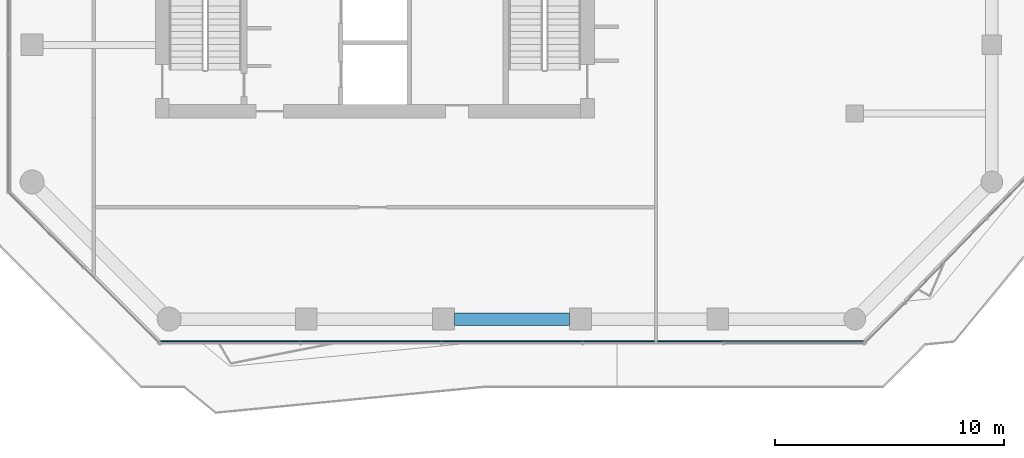
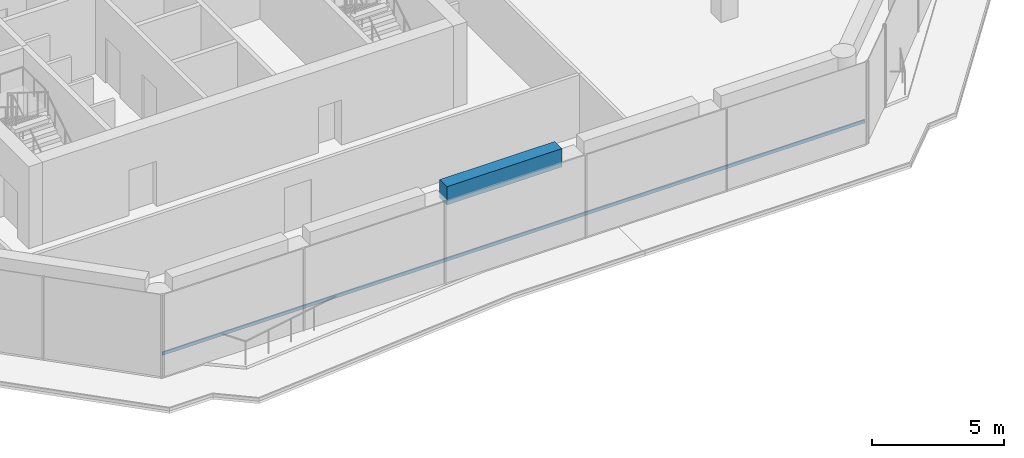
# One storey, part 3 of 22: 1 beam, 1 member, 1 element without a shape of its own.
"""IFC4 building model written with IfcOpenShell, lengths in metres."""

import ifcopenshell
import ifcopenshell.guid

model = None  # the IFC model being written
_history = None  # IfcOwnerHistory: only IFC2X3 demands one
_inside = {}  # id of a spatial element -> (the spatial element, [elements in it])
_under = {}  # id of a project, library or spatial element -> (it, [spatial elements below it])
_declared = {}  # id of a project -> (the project, [libraries it declares])
_typed = {}  # id of a type object -> (the type object, [elements of that type])
_made_of = {}  # id of a material, layer set ... -> (it, [elements and type objects made of it])


def new_model(schema):
    """Start an empty IFC model of exactly this schema.

    Asked for "IFC4X3", IfcOpenShell would pick the latest addendum, in which some entities
    have other attributes; the version numbers below select the first issue.
    IFC2X3 requires an IfcOwnerHistory on every rooted entity: one is made here for all.
    """
    global model, _history
    if schema == "IFC4X3":
        model = ifcopenshell.file(schema_version=(4, 3, 0, 0))
    else:
        model = ifcopenshell.file(schema=schema)
    _inside.clear()
    _under.clear()
    _declared.clear()
    _typed.clear()
    _made_of.clear()
    _history = None
    if model.schema == "IFC2X3":
        org = make("IfcOrganization", Name="unknown")
        user = make(
            "IfcPersonAndOrganization",
            ThePerson=make("IfcPerson", FamilyName="unknown"),
            TheOrganization=org,
        )
        app = make(
            "IfcApplication",
            ApplicationDeveloper=org,
            Version="unknown",
            ApplicationFullName="unknown",
            ApplicationIdentifier="unknown",
        )
        _history = make(
            "IfcOwnerHistory",
            OwningUser=user,
            OwningApplication=app,
            ChangeAction="ADDED",
            CreationDate=0,
        )
    return model


def make(cls, **values):
    """One entity of the class cls with the attributes given. An attribute that is None is left unset."""
    return model.create_entity(
        cls, **{name: value for name, value in values.items() if value is not None}
    )


def rooted(cls, **values):
    """An entity with a GlobalId (a new one), such as an element, a storey or a relation."""
    return make(cls, GlobalId=ifcopenshell.guid.new(), OwnerHistory=_history, **values)


def si_unit(unit_type, name, prefix=None):
    """IfcSIUnit, for example si_unit("LENGTHUNIT", "METRE", prefix="MILLI")."""
    return make("IfcSIUnit", UnitType=unit_type, Prefix=prefix, Name=name)


def assignment(units):
    """IfcUnitAssignment: the units of a project."""
    return None if units is None else make("IfcUnitAssignment", Units=units)


def point(xyz):
    """IfcCartesianPoint."""
    return None if xyz is None else make("IfcCartesianPoint", Coordinates=xyz)


def direction(xyz):
    """IfcDirection."""
    return None if xyz is None else make("IfcDirection", DirectionRatios=xyz)


def frame(location, z_axis=None, x_axis=None):
    """IfcAxis2Placement3D, a coordinate frame: its origin and axes. An axis left out is left unset."""
    return make(
        "IfcAxis2Placement3D",
        Location=point(location),
        Axis=direction(z_axis),
        RefDirection=direction(x_axis),
    )


def frame_2d(location, x_axis=None):
    """IfcAxis2Placement2D, a coordinate frame in the plane: its origin and x axis."""
    return make(
        "IfcAxis2Placement2D", Location=point(location), RefDirection=direction(x_axis)
    )


def origin():
    """The frame at (0, 0, 0) with its axes left unset."""
    return frame((0.0, 0.0, 0.0))


def origin_2d():
    """The frame at (0, 0) in the plane with its x axis left unset."""
    return frame_2d((0.0, 0.0))


def place(relative_to, where):
    """IfcLocalPlacement: puts the frame where relative to a parent placement (None: the world)."""
    return make(
        "IfcLocalPlacement", PlacementRelTo=relative_to, RelativePlacement=where
    )


def context(
    kind, dimensions, precision=None, world=None, true_north=None, identifier=None
):
    """IfcGeometricRepresentationContext, for example the 3D "Model" context."""
    return make(
        "IfcGeometricRepresentationContext",
        ContextIdentifier=identifier,
        ContextType=kind,
        CoordinateSpaceDimension=dimensions,
        Precision=precision,
        WorldCoordinateSystem=world,
        TrueNorth=true_north,
    )


def subcontext(parent, identifier, kind, view, scale=None):
    """IfcGeometricRepresentationSubContext, for example "Body" below "Model"."""
    return make(
        "IfcGeometricRepresentationSubContext",
        ContextIdentifier=identifier,
        ContextType=kind,
        ParentContext=parent,
        TargetScale=scale,
        TargetView=view,
    )


def project(units=None, contexts=None):
    """IfcProject with its units and contexts."""
    return rooted(
        "IfcProject",
        Name="project",
        RepresentationContexts=contexts,
        UnitsInContext=assignment(units),
    )


def spatial(cls, under=None, at=None, **own):
    """A site, building, storey or space (cls), placed at a placement, below another one or the project."""
    s = rooted(cls, ObjectPlacement=at, **own)
    if under is not None:
        _under.setdefault(under.id(), (under, []))[1].append(s)
    return s


def profile(cls, at=None, kind="AREA", **sizes):
    """A parametric profile (cls). Its sizes go by their IFC names, for example OverallWidth=200.0."""
    return make(cls, ProfileType=kind, Position=at, **sizes)


def rectangle(**sizes):
    """IfcRectangleProfileDef."""
    return profile("IfcRectangleProfileDef", **sizes)


def extrude(swept, where, along, depth):
    """IfcExtrudedAreaSolid: the profile swept, set in the frame where, extruded along a direction by depth."""
    return make(
        "IfcExtrudedAreaSolid",
        SweptArea=swept,
        Position=where,
        ExtrudedDirection=direction(along),
        Depth=depth,
    )


def shape(context_of_items, identifier, shape_type, items):
    """IfcShapeRepresentation: the items that make up one representation, for example the "Body"."""
    return make(
        "IfcShapeRepresentation",
        ContextOfItems=context_of_items,
        RepresentationIdentifier=identifier,
        RepresentationType=shape_type,
        Items=items,
    )


def material(Name=None, Category=None):
    """IfcMaterial."""
    return make("IfcMaterial", Name=Name, Category=Category)


def layer(
    of_material, thickness, ventilated=None, Name=None, Category=None, Priority=None
):
    """IfcMaterialLayer: one layer of a wall or slab, of a material (None: an air gap)."""
    return make(
        "IfcMaterialLayer",
        Material=of_material,
        LayerThickness=thickness,
        IsVentilated=ventilated,
        Name=Name,
        Category=Category,
        Priority=Priority,
    )


def layer_set(layers, Name=None):
    """IfcMaterialLayerSet."""
    return make("IfcMaterialLayerSet", MaterialLayers=layers, LayerSetName=Name)


def material_profile(
    of_material, cross_section, Name=None, Category=None, Priority=None
):
    """IfcMaterialProfile: a cross section and its material."""
    return make(
        "IfcMaterialProfile",
        Name=Name,
        Material=of_material,
        Profile=cross_section,
        Priority=Priority,
        Category=Category,
    )


def profile_set(profiles, Name=None, composite=None):
    """IfcMaterialProfileSet."""
    return make(
        "IfcMaterialProfileSet",
        Name=Name,
        MaterialProfiles=profiles,
        CompositeProfile=composite,
    )


def made_of(thing, what):
    """Note that an element or type object is made of a material, layer set ...; save() writes the relation."""
    if what is not None:
        _made_of.setdefault(what.id(), (what, []))[1].append(thing)
    return thing


def type_object(cls, material=None, **own):
    """A type object (cls), such as IfcWallType, which elements share."""
    return made_of(rooted(cls, **own), material)


def element(
    cls,
    number,
    at=None,
    inside=None,
    cuts=None,
    type_object=None,
    material=None,
    context=None,
    identifier="Body",
    shape_type=None,
    held_by="IfcProductDefinitionShape",
    body=None,
    shapes=None,
    **own,
):
    """One element of the class cls, such as IfcWall. Its Tag is "e" and its number.

    at: its placement. inside: the storey or other place that contains it. cuts: it is an
    opening in that element (IfcRelVoidsElement). A single representation is given by context,
    identifier, shape_type and body (its items); several are given by shapes. held_by: the class
    of the entity that holds the representations. save() writes the other relations.
    """
    e = rooted(cls, Tag="e%d" % number, ObjectPlacement=at, **own)
    if body is not None:
        shapes = [shape(context, identifier, shape_type, body)]
    if shapes is not None:
        e.Representation = make(held_by, Representations=shapes)
    if inside is not None:
        _inside.setdefault(inside.id(), (inside, []))[1].append(e)
    if cuts is not None:
        rooted(
            "IfcRelVoidsElement", RelatingBuildingElement=cuts, RelatedOpeningElement=e
        )
    if type_object is not None:
        _typed.setdefault(type_object.id(), (type_object, []))[1].append(e)
    return made_of(e, material)


def aggregate(whole, parts):
    """IfcRelAggregates: a whole, such as a stair, and the parts it consists of."""
    return rooted("IfcRelAggregates", RelatingObject=whole, RelatedObjects=parts)


def save(model, path):
    """Write the relations noted so far, then the file.

    IfcRelAggregates (storeys below a building ...), IfcRelContainedInSpatialStructure (elements
    in a storey), IfcRelDefinesByType, IfcRelAssociatesMaterial and IfcRelDeclares: one each for
    every whole, place, type object, material and project.
    """
    for whole, parts in _under.values():
        aggregate(whole, parts)
    for where, things in _inside.values():
        rooted(
            "IfcRelContainedInSpatialStructure",
            RelatedElements=things,
            RelatingStructure=where,
        )
    for kind, things in _typed.values():
        rooted("IfcRelDefinesByType", RelatedObjects=things, RelatingType=kind)
    for what, things in _made_of.values():
        rooted("IfcRelAssociatesMaterial", RelatedObjects=things, RelatingMaterial=what)
    for by, libraries in _declared.values():
        rooted("IfcRelDeclares", RelatingContext=by, RelatedDefinitions=libraries)
    model.write(path)


model = new_model("IFC4")

# Units and contexts
model_context = context("Model", 3, precision=1e-05, world=origin(), true_north=direction((0.0, 1.0)))
body_context = subcontext(model_context, "Body", "Model", "MODEL_VIEW")
ifc_project = project(units=[si_unit("LENGTHUNIT", "METRE"), si_unit("AREAUNIT", "SQUARE_METRE"), si_unit("VOLUMEUNIT", "CUBIC_METRE"), si_unit("PLANEANGLEUNIT", "RADIAN"), si_unit("MASSUNIT", "GRAM", prefix="KILO")], contexts=[model_context])

# Site, building, storey
site_placement = place(None, origin())
site = spatial("IfcSite", under=ifc_project, at=site_placement, CompositionType="ELEMENT")
building_placement = place(site_placement, origin())
building = spatial("IfcBuilding", under=site, at=building_placement, Name="Welwitschia Terrace Campus", CompositionType="ELEMENT")
storey_placement = place(building_placement, frame((0.0, 0.0, 192.800048828125)))
storey = spatial("IfcBuildingStorey", under=building, at=storey_placement, Name="L43", CompositionType="ELEMENT", Elevation=192.800048828125)

# Beam
ifc_material_1 = material(Name="Concrete C50/60", Category="concrete")
ifc_material_profile_1 = material_profile(ifc_material_1, rectangle(XDim=0.550048828125, YDim=0.85009765625, at=origin_2d()))
ifc_profile_set_1 = profile_set([ifc_material_profile_1], Name="Concrete C50/60")
beam_type = type_object("IfcBeamType", Name="Ring spandrel 550x850", PredefinedType="SPANDREL", material=ifc_profile_set_1)
beam_placement = place(storey_placement, frame((18.4755859375, -4.0, 3.375), z_axis=(1.0, 0.0, 0.0), x_axis=(0.0, 1.0, 0.0)))
element("IfcBeam", 1, at=beam_placement, inside=storey, type_object=beam_type, Name="Spandrel SP3", PredefinedType="SPANDREL", context=body_context, shape_type="SweptSolid", body=[
    extrude(rectangle(XDim=0.550048828125, YDim=0.85009765625, at=origin_2d()), origin(), (0.0, 0.0, 1.0), 5.048828125),
])

# Curtain wall, member
ifc_material_2 = material(Name="Bronze anodised aluminium", Category="aluminium")
ifc_layer = layer(ifc_material_2, 0.1201171875)
ifc_layer_set = layer_set([ifc_layer], Name="Bronze anodised aluminium")
curtain_wall_type = type_object("IfcCurtainWallType", Name="Curtain wall CW2 tower 6000", PredefinedType="NOTDEFINED", material=ifc_layer_set)
curtain_wall_placement = place(storey_placement, origin())
curtain_wall = element("IfcCurtainWall", 2, at=curtain_wall_placement, inside=storey, type_object=curtain_wall_type, Name="CW L43.3.0", PredefinedType="NOTDEFINED")
ifc_material_3 = material(Name="Bronze anodised aluminium", Category="aluminium")
ifc_material_profile_2 = material_profile(ifc_material_3, rectangle(XDim=0.06005859375, YDim=0.14990234375, at=origin_2d()))
ifc_profile_set_2 = profile_set([ifc_material_profile_2], Name="Bronze anodised aluminium")
member_type = type_object("IfcMemberType", Name="Transom 60x150", PredefinedType="USERDEFINED", material=ifc_profile_set_2)
member_placement = place(storey_placement, frame((5.621826171875, -4.968017578125, 1.0), z_axis=(1.0, 0.0, 0.0), x_axis=(0.0, 1.0, 0.0)))
member = element("IfcMember", 3, at=member_placement, type_object=member_type, Name="Transom L43.3.0", ObjectType="TRANSOM", PredefinedType="USERDEFINED", context=body_context, shape_type="SweptSolid", body=[
    extrude(rectangle(XDim=0.06005859375, YDim=0.14990234375, at=origin_2d()), origin(), (0.0, 0.0, 1.0), 30.75634765625),
])
aggregate(curtain_wall, [member])

save(model, "model.ifc")
